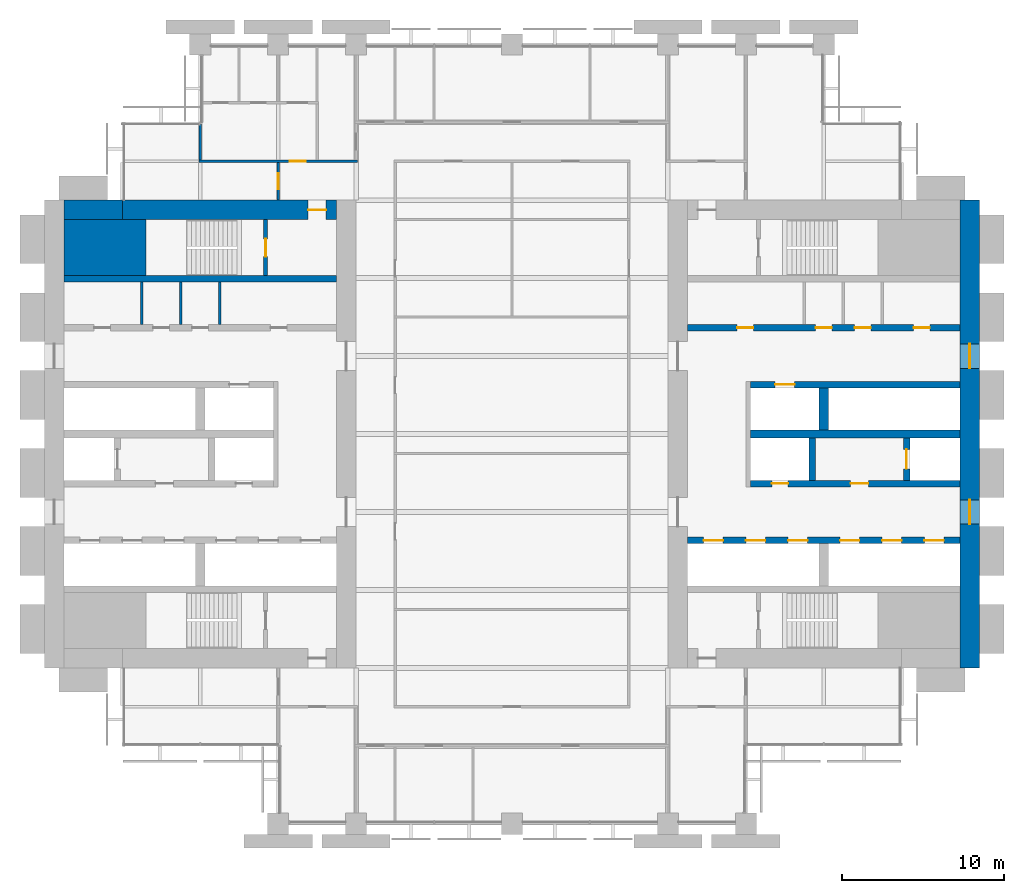
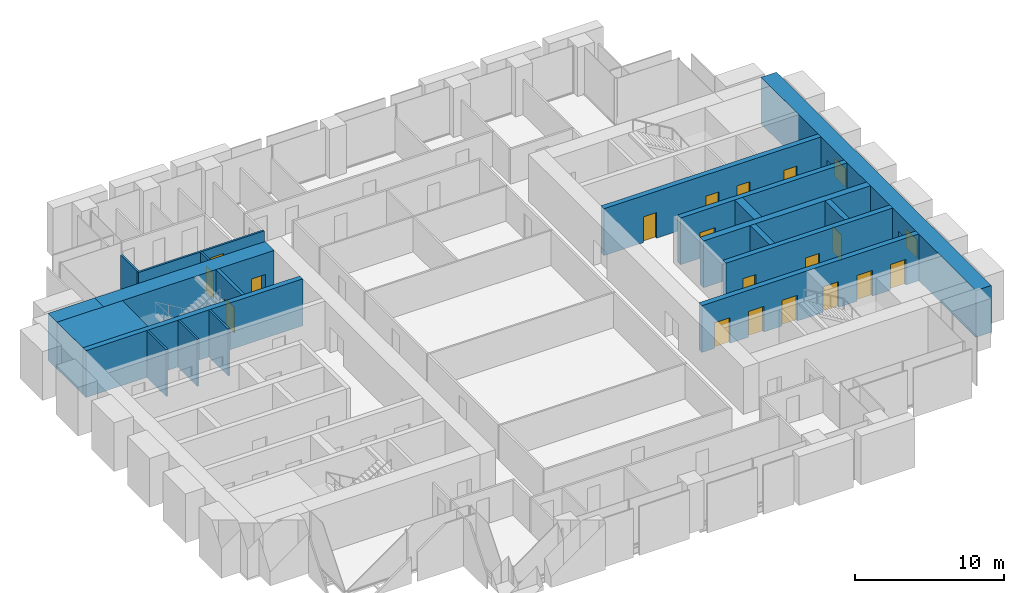
# One storey, part 11 of 14: 20 walls, 18 doors, 2 windows, 20 openings.
"""IFC4 building model written with IfcOpenShell, lengths in metres."""

from ifc_helpers import new_model, si_unit, direction, frame, frame_2d, origin, place, context, subcontext, project, spatial, rectangle, extrude, material, layer, layer_set, type_object, element, fill, save


model = new_model("IFC4")

# Units and contexts
model_context = context("Model", 3, precision=1e-05, world=origin(), true_north=direction((0.0, 1.0)))
body_context = subcontext(model_context, "Body", "Model", "MODEL_VIEW")
ifc_project = project(units=[si_unit("LENGTHUNIT", "METRE"), si_unit("AREAUNIT", "SQUARE_METRE"), si_unit("VOLUMEUNIT", "CUBIC_METRE"), si_unit("PLANEANGLEUNIT", "RADIAN"), si_unit("MASSUNIT", "GRAM", prefix="KILO")], contexts=[model_context])

# Site, building, storey
site_placement = place(None, origin())
site = spatial("IfcSite", under=ifc_project, at=site_placement, CompositionType="ELEMENT")
building_placement = place(site_placement, origin())
building = spatial("IfcBuilding", under=site, at=building_placement, Name="Baori Bourse Tower", CompositionType="ELEMENT")
storey_placement = place(building_placement, frame((0.0, 0.0, 67.0)))
storey = spatial("IfcBuildingStorey", under=building, at=storey_placement, Name="L14", CompositionType="ELEMENT", Elevation=67.0)

# Walls
ifc_material_1 = material(Name="Concrete f'c 70 MPa", Category="concrete")
wall_type_1 = type_object("IfcWallType", Name="Core corner block f'c 70", PredefinedType="SHEAR", material=ifc_material_1)
wall_1_placement = place(storey_placement, frame((1.199951171875, 35.47509765625, 0.0), z_axis=(0.0, 0.0, 1.0), x_axis=(1.0, 0.0, 0.0)))
element("IfcWall", 1, at=wall_1_placement, inside=storey, type_object=wall_type_1, Name="Core wall W22", PredefinedType="SHEAR", context=body_context, shape_type="SweptSolid", body=[
    extrude(rectangle(XDim=5.050048828125, YDim=3.449951171875, at=frame_2d((2.52490234375, 0.0))), origin(), (0.0, 0.0, 1.0), 3.840087890625),
])
ifc_material_2 = material(Name="Blockwork partition", Category="masonry")
ifc_layer_1 = layer(ifc_material_2, 0.14990234375)
ifc_layer_set_1 = layer_set([ifc_layer_1], Name="Core partition 150")
wall_type_2 = type_object("IfcWallType", Name="Core partition 150", PredefinedType="PARTITIONING", material=ifc_layer_set_1)
for number, where, z_axis, x_axis, name in (
    (2, (6.0, 30.75, 0.0), (0.0, 0.0, 1.0), (0.0, 1.0, 0.0), "Partition wall W18"),
    (3, (8.39990234375, 30.75, 0.0), (0.0, 0.0, 1.0), (0.0, 1.0, 0.0), "Partition wall W19"),
    (4, (10.800048828125, 30.75, 0.0), (0.0, 0.0, 1.0), (0.0, 1.0, 0.0), "Partition wall W20"),
):
    element("IfcWall", number, at=place(storey_placement, frame(where, z_axis=z_axis, x_axis=x_axis)), inside=storey, type_object=wall_type_2, Name=name, PredefinedType="PARTITIONING", context=body_context, shape_type="SweptSolid", body=[
        extrude(rectangle(XDim=2.60009765625, YDim=0.14990234375, at=frame_2d((1.300048828125, 0.0))), origin(), (0.0, 0.0, 1.0), 3.840087890625),
    ])
ifc_material_3 = material(Name="Concrete f'c 70 MPa", Category="concrete")
ifc_layer_2 = layer(ifc_material_3, 1.199951171875)
ifc_layer_set_2 = layer_set([ifc_layer_2], Name="Core wall 1200 f'c 70")
wall_type_3 = type_object("IfcWallType", Name="Core wall 1200 f'c 70", PredefinedType="SHEAR", material=ifc_layer_set_2)
wall_2_placement = place(storey_placement, frame((1.199951171875, 37.800048828125, 0.0), z_axis=(0.0, 0.0, 1.0), x_axis=(1.0, 0.0, 0.0)))
element("IfcWall", 5, at=wall_2_placement, inside=storey, type_object=wall_type_3, Name="Core wall W24", PredefinedType="SHEAR", context=body_context, shape_type="SweptSolid", body=[
    extrude(rectangle(XDim=3.60009765625, YDim=1.199951171875, at=frame_2d((1.800048828125, 0.0))), origin(), (0.0, 0.0, 1.0), 3.840087890625),
])

# Wall, opening, door
wall_3_placement = place(storey_placement, frame((4.800048828125, 37.800048828125, 0.0), z_axis=(0.0, 0.0, 1.0), x_axis=(1.0, 0.0, 0.0)))
wall_3 = element("IfcWall", 6, at=wall_3_placement, inside=storey, type_object=wall_type_3, Name="Core wall W25", PredefinedType="SHEAR", context=body_context, shape_type="SweptSolid", body=[
    extrude(rectangle(XDim=13.199951171875, YDim=1.199951171875, at=frame_2d((6.60009765625, 0.0))), origin(), (0.0, 0.0, 1.0), 3.840087890625),
])
opening_1_placement = place(wall_3_placement, frame((11.449951171875, 0.0, 0.0)))
opening_1 = element("IfcOpeningElement", 7, at=opening_1_placement, cuts=wall_3, Name="Opening L14-D104", PredefinedType="OPENING", context=body_context, shape_type="SweptSolid", body=[
    extrude(rectangle(XDim=1.10009765625, YDim=2.10009765625, at=frame_2d((0.550048828125, 1.050048828125))), frame((0.0, 0.60986328125, 0.0), z_axis=(0.0, -1.0, 0.0), x_axis=(1.0, 0.0, 0.0)), (0.0, 0.0, 1.0), 1.219970703125),
])
ifc_material_4 = material(Name="Painted steel door", Category="steel")
door_type_1 = type_object("IfcDoorType", Name="Stair door 1100", OperationType="SINGLE_SWING_LEFT", PredefinedType="DOOR", material=ifc_material_4)
door_1_placement = place(opening_1_placement, origin())
door_1 = element("IfcDoor", 8, at=door_1_placement, inside=storey, type_object=door_type_1, Name="Stair vestibule door B W L14", OperationType="SINGLE_SWING_LEFT", OverallHeight=2.10009765625, OverallWidth=1.10009765625, PredefinedType="DOOR", context=body_context, shape_type="SweptSolid", body=[
    extrude(rectangle(XDim=1.10009765625, YDim=2.10009765625, at=frame_2d((0.550048828125, 1.050048828125))), frame((0.0, 0.02490234375, 0.0), z_axis=(0.0, -1.0, 0.0), x_axis=(1.0, 0.0, 0.0)), (0.0, 0.0, 1.0), 0.050048828125),
])
fill(opening_1, door_1)

# Wall, openings, windows
wall_4_placement = place(storey_placement, frame((57.0, 38.39990234375, 0.0), z_axis=(0.0, 0.0, 1.0), x_axis=(0.0, -1.0, 0.0)))
wall_4 = element("IfcWall", 9, at=wall_4_placement, inside=storey, type_object=wall_type_3, Name="Core wall E01", PredefinedType="SHEAR", context=body_context, shape_type="SweptSolid", body=[
    extrude(rectangle(XDim=28.7998046875, YDim=1.199951171875, at=frame_2d((14.39990234375, 0.0))), origin(), (0.0, 0.0, 1.0), 3.840087890625),
])
opening_2_placement = place(wall_4_placement, frame((18.449951171875, 0.0, 0.89990234375)))
opening_2 = element("IfcOpeningElement", 10, at=opening_2_placement, cuts=wall_4, Name="Opening L14-KW201", PredefinedType="OPENING", context=body_context, shape_type="SweptSolid", body=[
    extrude(rectangle(XDim=1.5, YDim=1.5, at=frame_2d((0.75, 0.75))), frame((0.0, 0.60986328125, 0.0), z_axis=(0.0, -1.0, 0.0), x_axis=(1.0, 0.0, 0.0)), (0.0, 0.0, 1.0), 1.219970703125),
])
opening_3_placement = place(wall_4_placement, frame((8.85009765625, 0.0, 0.89990234375)))
opening_3 = element("IfcOpeningElement", 11, at=opening_3_placement, cuts=wall_4, Name="Opening L14-KW202", PredefinedType="OPENING", context=body_context, shape_type="SweptSolid", body=[
    extrude(rectangle(XDim=1.5, YDim=1.5, at=frame_2d((0.75, 0.75))), frame((0.0, 0.60986328125, 0.0), z_axis=(0.0, -1.0, 0.0), x_axis=(1.0, 0.0, 0.0)), (0.0, 0.0, 1.0), 1.219970703125),
])
ifc_material_5 = material(Name="Pale anodised aluminium", Category="aluminium")
window_type = type_object("IfcWindowType", Name="Lobby window 1500 x 1500", PartitioningType="SINGLE_PANEL", PredefinedType="WINDOW", material=ifc_material_5)
window_1_placement = place(opening_2_placement, origin())
window_1 = element("IfcWindow", 12, at=window_1_placement, inside=storey, type_object=window_type, Name="Outer wall window E L14 1", OverallHeight=1.5, OverallWidth=1.5, PartitioningType="SINGLE_PANEL", PredefinedType="WINDOW", context=body_context, shape_type="SweptSolid", body=[
    extrude(rectangle(XDim=1.5, YDim=1.5, at=frame_2d((0.75, 0.75))), frame((0.0, 0.030029296875, 0.0), z_axis=(0.0, -1.0, 0.0), x_axis=(1.0, 0.0, 0.0)), (0.0, 0.0, 1.0), 0.06005859375),
])
fill(opening_2, window_1)
window_2_placement = place(opening_3_placement, origin())
window_2 = element("IfcWindow", 13, at=window_2_placement, inside=storey, type_object=window_type, Name="Outer wall window E L14 2", OverallHeight=1.5, OverallWidth=1.5, PartitioningType="SINGLE_PANEL", PredefinedType="WINDOW", context=body_context, shape_type="SweptSolid", body=[
    extrude(rectangle(XDim=1.5, YDim=1.5, at=frame_2d((0.75, 0.75))), frame((0.0, 0.030029296875, 0.0), z_axis=(0.0, -1.0, 0.0), x_axis=(1.0, 0.0, 0.0)), (0.0, 0.0, 1.0), 0.06005859375),
])
fill(opening_3, window_2)

# Wall, opening, door
ifc_material_6 = material(Name="Gypsum board partition")
ifc_layer_3 = layer(ifc_material_6, 0.14990234375)
ifc_layer_set_3 = layer_set([ifc_layer_3], Name="Corridor partition 150")
wall_type_4 = type_object("IfcWallType", Name="Corridor partition 150", PredefinedType="PARTITIONING", material=ifc_layer_set_3)
wall_5_placement = place(storey_placement, frame((9.52490234375, 40.800048828125, 0.0), z_axis=(0.0, 0.0, 1.0), x_axis=(1.0, 0.0, 0.0)))
wall_5 = element("IfcWall", 14, at=wall_5_placement, inside=storey, type_object=wall_type_4, Name="Partition", PredefinedType="PARTITIONING", context=body_context, shape_type="SweptSolid", body=[
    extrude(rectangle(XDim=9.75, YDim=0.14990234375, at=frame_2d((4.875, 0.0))), origin(), (0.0, 0.0, 1.0), 2.849365234375),
])
opening_4_placement = place(wall_5_placement, frame((5.574951171875, 0.0, 0.0)))
opening_4 = element("IfcOpeningElement", 15, at=opening_4_placement, cuts=wall_5, Name="Opening L14-D07", PredefinedType="OPENING", context=body_context, shape_type="SweptSolid", body=[
    extrude(rectangle(XDim=1.0, YDim=2.10009765625, at=frame_2d((0.5, 1.050048828125))), frame((0.0, 0.0849609375, 0.0), z_axis=(0.0, -1.0, 0.0), x_axis=(1.0, 0.0, 0.0)), (0.0, 0.0, 1.0), 0.169921875),
])
ifc_material_7 = material(Name="Timber door leaf", Category="wood")
door_type_2 = type_object("IfcDoorType", Name="Door 1000 x 2100", OperationType="SINGLE_SWING_LEFT", PredefinedType="DOOR", material=ifc_material_7)
door_2_placement = place(opening_4_placement, origin())
door_2 = element("IfcDoor", 16, at=door_2_placement, inside=storey, type_object=door_type_2, Name="Door", OperationType="SINGLE_SWING_RIGHT", OverallHeight=2.10009765625, OverallWidth=1.0, PredefinedType="DOOR", context=body_context, shape_type="SweptSolid", body=[
    extrude(rectangle(XDim=1.0, YDim=2.10009765625, at=frame_2d((0.5, 1.050048828125))), frame((0.0, 0.02490234375, 0.0), z_axis=(0.0, -1.0, 0.0), x_axis=(1.0, 0.0, 0.0)), (0.0, 0.0, 1.0), 0.050048828125),
])
fill(opening_4, door_2)

# Wall
wall_6_placement = place(storey_placement, frame((9.60009765625, 40.875, 0.0), z_axis=(0.0, 0.0, 1.0), x_axis=(0.0, 1.0, 0.0)))
element("IfcWall", 17, at=wall_6_placement, inside=storey, type_object=wall_type_4, Name="Partition", PredefinedType="PARTITIONING", context=body_context, shape_type="SweptSolid", body=[
    extrude(rectangle(XDim=2.22509765625, YDim=0.14990234375, at=frame_2d((1.112548828125, 0.0))), origin(), (0.0, 0.0, 1.0), 2.849365234375),
])

# Wall, opening, door
wall_7_placement = place(storey_placement, frame((14.39990234375, 38.39990234375, 0.0), z_axis=(0.0, 0.0, 1.0), x_axis=(0.0, 1.0, 0.0)))
wall_7 = element("IfcWall", 18, at=wall_7_placement, inside=storey, type_object=wall_type_4, Name="Partition", PredefinedType="PARTITIONING", context=body_context, shape_type="SweptSolid", body=[
    extrude(rectangle(XDim=2.3251953125, YDim=0.14990234375, at=frame_2d((1.16259765625, 0.0))), origin(), (0.0, 0.0, 1.0), 2.849365234375),
])
opening_5_placement = place(wall_7_placement, frame((0.66259765625, 0.0, 0.0)))
opening_5 = element("IfcOpeningElement", 19, at=opening_5_placement, cuts=wall_7, Name="Opening L14-D19", PredefinedType="OPENING", context=body_context, shape_type="SweptSolid", body=[
    extrude(rectangle(XDim=1.0, YDim=2.10009765625, at=frame_2d((0.5, 1.050048828125))), frame((0.0, 0.0849609375, 0.0), z_axis=(0.0, -1.0, 0.0), x_axis=(1.0, 0.0, 0.0)), (0.0, 0.0, 1.0), 0.169921875),
])
door_3_placement = place(opening_5_placement, origin())
door_3 = element("IfcDoor", 20, at=door_3_placement, inside=storey, type_object=door_type_2, Name="Door", OperationType="SINGLE_SWING_RIGHT", OverallHeight=2.10009765625, OverallWidth=1.0, PredefinedType="DOOR", context=body_context, shape_type="SweptSolid", body=[
    extrude(rectangle(XDim=1.0, YDim=2.10009765625, at=frame_2d((0.5, 1.050048828125))), frame((0.0, 0.02490234375, 0.0), z_axis=(0.0, -1.0, 0.0), x_axis=(1.0, 0.0, 0.0)), (0.0, 0.0, 1.0), 0.050048828125),
])
fill(opening_5, door_3)

ifc_material_8 = material(Name="Concrete f'c 70 MPa", Category="concrete")
ifc_layer_4 = layer(ifc_material_8, 0.25)
ifc_layer_set_4 = layer_set([ifc_layer_4], Name="Shaft wall 250 f'c 70")
wall_type_5 = type_object("IfcWallType", Name="Shaft wall 250 f'c 70", PredefinedType="SHEAR", material=ifc_layer_set_4)
wall_8_placement = place(storey_placement, frame((13.625, 33.75, 0.0), z_axis=(0.0, 0.0, 1.0), x_axis=(0.0, 1.0, 0.0)))
wall_8 = element("IfcWall", 21, at=wall_8_placement, inside=storey, type_object=wall_type_5, Name="Core wall W23", PredefinedType="SHEAR", context=body_context, shape_type="SweptSolid", body=[
    extrude(rectangle(XDim=3.449951171875, YDim=0.25, at=frame_2d((1.72509765625, 0.0))), origin(), (0.0, 0.0, 1.0), 3.840087890625),
])
opening_6_placement = place(wall_8_placement, frame((1.175048828125, 0.0, 0.0)))
opening_6 = element("IfcOpeningElement", 22, at=opening_6_placement, cuts=wall_8, Name="Opening L14-D103", PredefinedType="OPENING", context=body_context, shape_type="SweptSolid", body=[
    extrude(rectangle(XDim=1.10009765625, YDim=2.10009765625, at=frame_2d((0.550048828125, 1.050048828125))), frame((0.0, 0.135009765625, 0.0), z_axis=(0.0, -1.0, 0.0), x_axis=(1.0, 0.0, 0.0)), (0.0, 0.0, 1.0), 0.27001953125),
])
door_4_placement = place(opening_6_placement, origin())
door_4 = element("IfcDoor", 23, at=door_4_placement, inside=storey, type_object=door_type_1, Name="Stair door B W L14", OperationType="SINGLE_SWING_LEFT", OverallHeight=2.10009765625, OverallWidth=1.10009765625, PredefinedType="DOOR", context=body_context, shape_type="SweptSolid", body=[
    extrude(rectangle(XDim=1.10009765625, YDim=2.10009765625, at=frame_2d((0.550048828125, 1.050048828125))), frame((0.0, 0.02490234375, 0.0), z_axis=(0.0, -1.0, 0.0), x_axis=(1.0, 0.0, 0.0)), (0.0, 0.0, 1.0), 0.050048828125),
])
fill(opening_6, door_4)

# Wall
ifc_material_9 = material(Name="Concrete f'c 70 MPa", Category="concrete")
ifc_layer_5 = layer(ifc_material_9, 0.39990234375)
ifc_layer_set_5 = layer_set([ifc_layer_5], Name="Shaft wall 400 f'c 70")
wall_type_6 = type_object("IfcWallType", Name="Shaft wall 400 f'c 70", PredefinedType="SHEAR", material=ifc_layer_set_5)
wall_9_placement = place(storey_placement, frame((1.199951171875, 33.550048828125, 0.0), z_axis=(0.0, 0.0, 1.0), x_axis=(1.0, 0.0, 0.0)))
element("IfcWall", 24, at=wall_9_placement, inside=storey, type_object=wall_type_6, Name="Core wall W21", PredefinedType="SHEAR", context=body_context, shape_type="SweptSolid", body=[
    extrude(rectangle(XDim=16.800048828125, YDim=0.39990234375, at=frame_2d((8.39990234375, 0.0))), origin(), (0.0, 0.0, 1.0), 3.840087890625),
])

# Wall, openings, doors
wall_10_placement = place(storey_placement, frame((39.60009765625, 17.449951171875, 0.0), z_axis=(0.0, 0.0, 1.0), x_axis=(1.0, 0.0, 0.0)))
wall_10 = element("IfcWall", 25, at=wall_10_placement, inside=storey, type_object=wall_type_6, Name="Core wall E09", PredefinedType="SHEAR", context=body_context, shape_type="SweptSolid", body=[
    extrude(rectangle(XDim=16.7998046875, YDim=0.39990234375, at=frame_2d((8.39990234375, 0.0))), origin(), (0.0, 0.0, 1.0), 3.840087890625),
])
opening_7_placement = place(wall_10_placement, frame((14.60009765625, 0.0, 0.0)))
opening_7 = element("IfcOpeningElement", 26, at=opening_7_placement, cuts=wall_10, Name="Opening L14-D213", PredefinedType="OPENING", context=body_context, shape_type="SweptSolid", body=[
    extrude(rectangle(XDim=1.199951171875, YDim=2.10009765625, at=frame_2d((0.60009765625, 1.050048828125))), frame((0.0, 0.2099609375, 0.0), z_axis=(0.0, -1.0, 0.0), x_axis=(1.0, 0.0, 0.0)), (0.0, 0.0, 1.0), 0.419921875),
])
opening_8_placement = place(wall_10_placement, frame((12.0, 0.0, 0.0)))
opening_8 = element("IfcOpeningElement", 27, at=opening_8_placement, cuts=wall_10, Name="Opening L14-D214", PredefinedType="OPENING", context=body_context, shape_type="SweptSolid", body=[
    extrude(rectangle(XDim=1.199951171875, YDim=2.10009765625, at=frame_2d((0.60009765625, 1.050048828125))), frame((0.0, 0.2099609375, 0.0), z_axis=(0.0, -1.0, 0.0), x_axis=(1.0, 0.0, 0.0)), (0.0, 0.0, 1.0), 0.419921875),
])
opening_9_placement = place(wall_10_placement, frame((9.39990234375, 0.0, 0.0)))
opening_9 = element("IfcOpeningElement", 28, at=opening_9_placement, cuts=wall_10, Name="Opening L14-D215", PredefinedType="OPENING", context=body_context, shape_type="SweptSolid", body=[
    extrude(rectangle(XDim=1.199951171875, YDim=2.10009765625, at=frame_2d((0.60009765625, 1.050048828125))), frame((0.0, 0.2099609375, 0.0), z_axis=(0.0, -1.0, 0.0), x_axis=(1.0, 0.0, 0.0)), (0.0, 0.0, 1.0), 0.419921875),
])
opening_10_placement = place(wall_10_placement, frame((6.199951171875, 0.0, 0.0)))
opening_10 = element("IfcOpeningElement", 29, at=opening_10_placement, cuts=wall_10, Name="Opening L14-D216", PredefinedType="OPENING", context=body_context, shape_type="SweptSolid", body=[
    extrude(rectangle(XDim=1.199951171875, YDim=2.10009765625, at=frame_2d((0.60009765625, 1.050048828125))), frame((0.0, 0.2099609375, 0.0), z_axis=(0.0, -1.0, 0.0), x_axis=(1.0, 0.0, 0.0)), (0.0, 0.0, 1.0), 0.419921875),
])
opening_11_placement = place(wall_10_placement, frame((3.60009765625, 0.0, 0.0)))
opening_11 = element("IfcOpeningElement", 30, at=opening_11_placement, cuts=wall_10, Name="Opening L14-D217", PredefinedType="OPENING", context=body_context, shape_type="SweptSolid", body=[
    extrude(rectangle(XDim=1.199951171875, YDim=2.10009765625, at=frame_2d((0.60009765625, 1.050048828125))), frame((0.0, 0.2099609375, 0.0), z_axis=(0.0, -1.0, 0.0), x_axis=(1.0, 0.0, 0.0)), (0.0, 0.0, 1.0), 0.419921875),
])
opening_12_placement = place(wall_10_placement, frame((1.0, 0.0, 0.0)))
opening_12 = element("IfcOpeningElement", 31, at=opening_12_placement, cuts=wall_10, Name="Opening L14-D218", PredefinedType="OPENING", context=body_context, shape_type="SweptSolid", body=[
    extrude(rectangle(XDim=1.199951171875, YDim=2.10009765625, at=frame_2d((0.60009765625, 1.050048828125))), frame((0.0, 0.2099609375, 0.0), z_axis=(0.0, -1.0, 0.0), x_axis=(1.0, 0.0, 0.0)), (0.0, 0.0, 1.0), 0.419921875),
])
ifc_material_10 = material(Name="Stainless steel door", Category="steel")
door_type_3 = type_object("IfcDoorType", Name="Lift landing door", OperationType="DOUBLE_DOOR_SLIDING", PredefinedType="DOOR", material=ifc_material_10)
door_5_placement = place(opening_7_placement, origin())
door_5 = element("IfcDoor", 32, at=door_5_placement, inside=storey, type_object=door_type_3, Name="Lift landing door LR1 E L14", OperationType="DOUBLE_DOOR_SLIDING", OverallHeight=2.10009765625, OverallWidth=1.199951171875, PredefinedType="DOOR", context=body_context, shape_type="SweptSolid", body=[
    extrude(rectangle(XDim=1.199951171875, YDim=2.10009765625, at=frame_2d((0.60009765625, 1.050048828125))), frame((0.0, 0.02490234375, 0.0), z_axis=(0.0, -1.0, 0.0), x_axis=(1.0, 0.0, 0.0)), (0.0, 0.0, 1.0), 0.050048828125),
])
fill(opening_7, door_5)
door_6_placement = place(opening_8_placement, origin())
door_6 = element("IfcDoor", 33, at=door_6_placement, inside=storey, type_object=door_type_3, Name="Lift landing door LR2 E L14", OperationType="DOUBLE_DOOR_SLIDING", OverallHeight=2.10009765625, OverallWidth=1.199951171875, PredefinedType="DOOR", context=body_context, shape_type="SweptSolid", body=[
    extrude(rectangle(XDim=1.199951171875, YDim=2.10009765625, at=frame_2d((0.60009765625, 1.050048828125))), frame((0.0, 0.02490234375, 0.0), z_axis=(0.0, -1.0, 0.0), x_axis=(1.0, 0.0, 0.0)), (0.0, 0.0, 1.0), 0.050048828125),
])
fill(opening_8, door_6)
door_7_placement = place(opening_9_placement, origin())
door_7 = element("IfcDoor", 34, at=door_7_placement, inside=storey, type_object=door_type_3, Name="Lift landing door LR3 E L14", OperationType="DOUBLE_DOOR_SLIDING", OverallHeight=2.10009765625, OverallWidth=1.199951171875, PredefinedType="DOOR", context=body_context, shape_type="SweptSolid", body=[
    extrude(rectangle(XDim=1.199951171875, YDim=2.10009765625, at=frame_2d((0.60009765625, 1.050048828125))), frame((0.0, 0.02490234375, 0.0), z_axis=(0.0, -1.0, 0.0), x_axis=(1.0, 0.0, 0.0)), (0.0, 0.0, 1.0), 0.050048828125),
])
fill(opening_9, door_7)
door_8_placement = place(opening_10_placement, origin())
door_8 = element("IfcDoor", 35, at=door_8_placement, inside=storey, type_object=door_type_3, Name="Lift landing door LR4 E L14", OperationType="DOUBLE_DOOR_SLIDING", OverallHeight=2.10009765625, OverallWidth=1.199951171875, PredefinedType="DOOR", context=body_context, shape_type="SweptSolid", body=[
    extrude(rectangle(XDim=1.199951171875, YDim=2.10009765625, at=frame_2d((0.60009765625, 1.050048828125))), frame((0.0, 0.02490234375, 0.0), z_axis=(0.0, -1.0, 0.0), x_axis=(1.0, 0.0, 0.0)), (0.0, 0.0, 1.0), 0.050048828125),
])
fill(opening_10, door_8)
door_9_placement = place(opening_11_placement, origin())
door_9 = element("IfcDoor", 36, at=door_9_placement, inside=storey, type_object=door_type_3, Name="Lift landing door LR5 E L14", OperationType="DOUBLE_DOOR_SLIDING", OverallHeight=2.10009765625, OverallWidth=1.199951171875, PredefinedType="DOOR", context=body_context, shape_type="SweptSolid", body=[
    extrude(rectangle(XDim=1.199951171875, YDim=2.10009765625, at=frame_2d((0.60009765625, 1.050048828125))), frame((0.0, 0.02490234375, 0.0), z_axis=(0.0, -1.0, 0.0), x_axis=(1.0, 0.0, 0.0)), (0.0, 0.0, 1.0), 0.050048828125),
])
fill(opening_11, door_9)
door_10_placement = place(opening_12_placement, origin())
door_10 = element("IfcDoor", 37, at=door_10_placement, inside=storey, type_object=door_type_3, Name="Lift landing door LR6 E L14", OperationType="DOUBLE_DOOR_SLIDING", OverallHeight=2.10009765625, OverallWidth=1.199951171875, PredefinedType="DOOR", context=body_context, shape_type="SweptSolid", body=[
    extrude(rectangle(XDim=1.199951171875, YDim=2.10009765625, at=frame_2d((0.60009765625, 1.050048828125))), frame((0.0, 0.02490234375, 0.0), z_axis=(0.0, -1.0, 0.0), x_axis=(1.0, 0.0, 0.0)), (0.0, 0.0, 1.0), 0.050048828125),
])
fill(opening_12, door_10)

wall_11_placement = place(storey_placement, frame((43.5, 20.949951171875, 0.0), z_axis=(0.0, 0.0, 1.0), x_axis=(1.0, 0.0, 0.0)))
wall_11 = element("IfcWall", 38, at=wall_11_placement, inside=storey, type_object=wall_type_6, Name="Core wall E10", PredefinedType="SHEAR", context=body_context, shape_type="SweptSolid", body=[
    extrude(rectangle(XDim=12.89990234375, YDim=0.39990234375, at=frame_2d((6.449951171875, 0.0))), origin(), (0.0, 0.0, 1.0), 3.840087890625),
])
opening_13_placement = place(wall_11_placement, frame((6.14990234375, 0.0, 0.0)))
opening_13 = element("IfcOpeningElement", 39, at=opening_13_placement, cuts=wall_11, Name="Opening L14-D205", PredefinedType="OPENING", context=body_context, shape_type="SweptSolid", body=[
    extrude(rectangle(XDim=1.10009765625, YDim=2.10009765625, at=frame_2d((0.550048828125, 1.050048828125))), frame((0.0, 0.2099609375, 0.0), z_axis=(0.0, -1.0, 0.0), x_axis=(1.0, 0.0, 0.0)), (0.0, 0.0, 1.0), 0.419921875),
])
opening_14_placement = place(wall_11_placement, frame((1.300048828125, 0.0, 0.0)))
opening_14 = element("IfcOpeningElement", 40, at=opening_14_placement, cuts=wall_11, Name="Opening L14-D206", PredefinedType="OPENING", context=body_context, shape_type="SweptSolid", body=[
    extrude(rectangle(XDim=1.0, YDim=2.10009765625, at=frame_2d((0.5, 1.050048828125))), frame((0.0, 0.2099609375, 0.0), z_axis=(0.0, -1.0, 0.0), x_axis=(1.0, 0.0, 0.0)), (0.0, 0.0, 1.0), 0.419921875),
])
ifc_material_11 = material(Name="Painted steel door", Category="steel")
door_type_4 = type_object("IfcDoorType", Name="Lobby door 1100", OperationType="SINGLE_SWING_LEFT", PredefinedType="DOOR", material=ifc_material_11)
door_11_placement = place(opening_13_placement, origin())
door_11 = element("IfcDoor", 41, at=door_11_placement, inside=storey, type_object=door_type_4, Name="Firefighting lobby door E L14", OperationType="SINGLE_SWING_LEFT", OverallHeight=2.10009765625, OverallWidth=1.10009765625, PredefinedType="DOOR", context=body_context, shape_type="SweptSolid", body=[
    extrude(rectangle(XDim=1.10009765625, YDim=2.10009765625, at=frame_2d((0.550048828125, 1.050048828125))), frame((0.0, 0.02490234375, 0.0), z_axis=(0.0, -1.0, 0.0), x_axis=(1.0, 0.0, 0.0)), (0.0, 0.0, 1.0), 0.050048828125),
])
fill(opening_13, door_11)
ifc_material_12 = material(Name="Painted steel door", Category="steel")
door_type_5 = type_object("IfcDoorType", Name="Shaft door 1000", OperationType="SINGLE_SWING_LEFT", PredefinedType="DOOR", material=ifc_material_12)
door_12_placement = place(opening_14_placement, origin())
door_12 = element("IfcDoor", 42, at=door_12_placement, inside=storey, type_object=door_type_5, Name="Riser room door E L14", OperationType="SINGLE_SWING_LEFT", OverallHeight=2.10009765625, OverallWidth=1.0, PredefinedType="DOOR", context=body_context, shape_type="SweptSolid", body=[
    extrude(rectangle(XDim=1.0, YDim=2.10009765625, at=frame_2d((0.5, 1.050048828125))), frame((0.0, 0.02490234375, 0.0), z_axis=(0.0, -1.0, 0.0), x_axis=(1.0, 0.0, 0.0)), (0.0, 0.0, 1.0), 0.050048828125),
])
fill(opening_14, door_12)

# Wall, opening, door
wall_12_placement = place(storey_placement, frame((53.10009765625, 21.14990234375, 0.0), z_axis=(0.0, 0.0, 1.0), x_axis=(0.0, 1.0, 0.0)))
wall_12 = element("IfcWall", 43, at=wall_12_placement, inside=storey, type_object=wall_type_6, Name="Core wall E12", PredefinedType="SHEAR", context=body_context, shape_type="SweptSolid", body=[
    extrude(rectangle(XDim=2.60009765625, YDim=0.39990234375, at=frame_2d((1.300048828125, 0.0))), origin(), (0.0, 0.0, 1.0), 3.840087890625),
])
opening_15_placement = place(wall_12_placement, frame((0.699951171875, 0.0, 0.0)))
opening_15 = element("IfcOpeningElement", 44, at=opening_15_placement, cuts=wall_12, Name="Opening L14-D220", PredefinedType="OPENING", context=body_context, shape_type="SweptSolid", body=[
    extrude(rectangle(XDim=1.199951171875, YDim=2.10009765625, at=frame_2d((0.60009765625, 1.050048828125))), frame((0.0, 0.2099609375, 0.0), z_axis=(0.0, -1.0, 0.0), x_axis=(1.0, 0.0, 0.0)), (0.0, 0.0, 1.0), 0.419921875),
])
door_13_placement = place(opening_15_placement, origin())
door_13 = element("IfcDoor", 45, at=door_13_placement, inside=storey, type_object=door_type_3, Name="Lift landing door FF2 E L14", OperationType="DOUBLE_DOOR_SLIDING", OverallHeight=2.10009765625, OverallWidth=1.199951171875, PredefinedType="DOOR", context=body_context, shape_type="SweptSolid", body=[
    extrude(rectangle(XDim=1.199951171875, YDim=2.10009765625, at=frame_2d((0.60009765625, 1.050048828125))), frame((0.0, 0.02490234375, 0.0), z_axis=(0.0, -1.0, 0.0), x_axis=(1.0, 0.0, 0.0)), (0.0, 0.0, 1.0), 0.050048828125),
])
fill(opening_15, door_13)

# Wall
wall_13_placement = place(storey_placement, frame((47.300048828125, 21.14990234375, 0.0), z_axis=(0.0, 0.0, 1.0), x_axis=(0.0, 1.0, 0.0)))
element("IfcWall", 46, at=wall_13_placement, inside=storey, type_object=wall_type_6, Name="Core wall E13", PredefinedType="SHEAR", context=body_context, shape_type="SweptSolid", body=[
    extrude(rectangle(XDim=2.60009765625, YDim=0.39990234375, at=frame_2d((1.300048828125, 0.0))), origin(), (0.0, 0.0, 1.0), 3.840087890625),
])

# Wall, opening, door
wall_14_placement = place(storey_placement, frame((43.5, 27.050048828125, 0.0), z_axis=(0.0, 0.0, 1.0), x_axis=(1.0, 0.0, 0.0)))
wall_14 = element("IfcWall", 47, at=wall_14_placement, inside=storey, type_object=wall_type_6, Name="Core wall E16", PredefinedType="SHEAR", context=body_context, shape_type="SweptSolid", body=[
    extrude(rectangle(XDim=12.89990234375, YDim=0.39990234375, at=frame_2d((6.449951171875, 0.0))), origin(), (0.0, 0.0, 1.0), 3.840087890625),
])
opening_16_placement = place(wall_14_placement, frame((1.5, 0.0, 0.0)))
opening_16 = element("IfcOpeningElement", 48, at=opening_16_placement, cuts=wall_14, Name="Opening L14-D219", PredefinedType="OPENING", context=body_context, shape_type="SweptSolid", body=[
    extrude(rectangle(XDim=1.199951171875, YDim=2.10009765625, at=frame_2d((0.60009765625, 1.050048828125))), frame((0.0, 0.2099609375, 0.0), z_axis=(0.0, -1.0, 0.0), x_axis=(1.0, 0.0, 0.0)), (0.0, 0.0, 1.0), 0.419921875),
])
door_14_placement = place(opening_16_placement, origin())
door_14 = element("IfcDoor", 49, at=door_14_placement, inside=storey, type_object=door_type_3, Name="Lift landing door SV1 E L14", OperationType="DOUBLE_DOOR_SLIDING", OverallHeight=2.10009765625, OverallWidth=1.199951171875, PredefinedType="DOOR", context=body_context, shape_type="SweptSolid", body=[
    extrude(rectangle(XDim=1.199951171875, YDim=2.10009765625, at=frame_2d((0.60009765625, 1.050048828125))), frame((0.0, 0.02490234375, 0.0), z_axis=(0.0, -1.0, 0.0), x_axis=(1.0, 0.0, 0.0)), (0.0, 0.0, 1.0), 0.050048828125),
])
fill(opening_16, door_14)

# Wall, openings, doors
wall_15_placement = place(storey_placement, frame((39.60009765625, 30.550048828125, 0.0), z_axis=(0.0, 0.0, 1.0), x_axis=(1.0, 0.0, 0.0)))
wall_15 = element("IfcWall", 50, at=wall_15_placement, inside=storey, type_object=wall_type_6, Name="Core wall E17", PredefinedType="SHEAR", context=body_context, shape_type="SweptSolid", body=[
    extrude(rectangle(XDim=16.7998046875, YDim=0.39990234375, at=frame_2d((8.39990234375, 0.0))), origin(), (0.0, 0.0, 1.0), 3.840087890625),
])
opening_17_placement = place(wall_15_placement, frame((13.9375, 0.0, 0.0)))
opening_17 = element("IfcOpeningElement", 51, at=opening_17_placement, cuts=wall_15, Name="Opening L14-D209", PredefinedType="OPENING", context=body_context, shape_type="SweptSolid", body=[
    extrude(rectangle(XDim=1.0, YDim=2.10009765625, at=frame_2d((0.5, 1.050048828125))), frame((0.0, 0.2099609375, 0.0), z_axis=(0.0, -1.0, 0.0), x_axis=(1.0, 0.0, 0.0)), (0.0, 0.0, 1.0), 0.419921875),
])
opening_18_placement = place(wall_15_placement, frame((10.300048828125, 0.0, 0.0)))
opening_18 = element("IfcOpeningElement", 52, at=opening_18_placement, cuts=wall_15, Name="Opening L14-D210", PredefinedType="OPENING", context=body_context, shape_type="SweptSolid", body=[
    extrude(rectangle(XDim=1.0, YDim=2.10009765625, at=frame_2d((0.5, 1.050048828125))), frame((0.0, 0.2099609375, 0.0), z_axis=(0.0, -1.0, 0.0), x_axis=(1.0, 0.0, 0.0)), (0.0, 0.0, 1.0), 0.419921875),
])
opening_19_placement = place(wall_15_placement, frame((7.89990234375, 0.0, 0.0)))
opening_19 = element("IfcOpeningElement", 53, at=opening_19_placement, cuts=wall_15, Name="Opening L14-D211", PredefinedType="OPENING", context=body_context, shape_type="SweptSolid", body=[
    extrude(rectangle(XDim=1.0, YDim=2.10009765625, at=frame_2d((0.5, 1.050048828125))), frame((0.0, 0.2099609375, 0.0), z_axis=(0.0, -1.0, 0.0), x_axis=(1.0, 0.0, 0.0)), (0.0, 0.0, 1.0), 0.419921875),
])
opening_20_placement = place(wall_15_placement, frame((3.0625, 0.0, 0.0)))
opening_20 = element("IfcOpeningElement", 54, at=opening_20_placement, cuts=wall_15, Name="Opening L14-D212", PredefinedType="OPENING", context=body_context, shape_type="SweptSolid", body=[
    extrude(rectangle(XDim=1.0, YDim=2.10009765625, at=frame_2d((0.5, 1.050048828125))), frame((0.0, 0.2099609375, 0.0), z_axis=(0.0, -1.0, 0.0), x_axis=(1.0, 0.0, 0.0)), (0.0, 0.0, 1.0), 0.419921875),
])
ifc_material_13 = material(Name="Painted steel door", Category="steel")
door_type_6 = type_object("IfcDoorType", Name="Core door 1000", OperationType="SINGLE_SWING_LEFT", PredefinedType="DOOR", material=ifc_material_13)
door_15_placement = place(opening_17_placement, origin())
door_15 = element("IfcDoor", 55, at=door_15_placement, inside=storey, type_object=door_type_6, Name="Women'S Wc door E L14", OperationType="SINGLE_SWING_LEFT", OverallHeight=2.10009765625, OverallWidth=1.0, PredefinedType="DOOR", context=body_context, shape_type="SweptSolid", body=[
    extrude(rectangle(XDim=1.0, YDim=2.10009765625, at=frame_2d((0.5, 1.050048828125))), frame((0.0, 0.02490234375, 0.0), z_axis=(0.0, -1.0, 0.0), x_axis=(1.0, 0.0, 0.0)), (0.0, 0.0, 1.0), 0.050048828125),
])
fill(opening_17, door_15)
door_16_placement = place(opening_18_placement, origin())
door_16 = element("IfcDoor", 56, at=door_16_placement, inside=storey, type_object=door_type_6, Name="Accessible Wc door E L14", OperationType="SINGLE_SWING_LEFT", OverallHeight=2.10009765625, OverallWidth=1.0, PredefinedType="DOOR", context=body_context, shape_type="SweptSolid", body=[
    extrude(rectangle(XDim=1.0, YDim=2.10009765625, at=frame_2d((0.5, 1.050048828125))), frame((0.0, 0.02490234375, 0.0), z_axis=(0.0, -1.0, 0.0), x_axis=(1.0, 0.0, 0.0)), (0.0, 0.0, 1.0), 0.050048828125),
])
fill(opening_18, door_16)
door_17_placement = place(opening_20_placement, origin())
door_17 = element("IfcDoor", 57, at=door_17_placement, inside=storey, type_object=door_type_6, Name="Men'S Wc door E L14", OperationType="SINGLE_SWING_LEFT", OverallHeight=2.10009765625, OverallWidth=1.0, PredefinedType="DOOR", context=body_context, shape_type="SweptSolid", body=[
    extrude(rectangle(XDim=1.0, YDim=2.10009765625, at=frame_2d((0.5, 1.050048828125))), frame((0.0, 0.02490234375, 0.0), z_axis=(0.0, -1.0, 0.0), x_axis=(1.0, 0.0, 0.0)), (0.0, 0.0, 1.0), 0.050048828125),
])
fill(opening_20, door_17)
ifc_material_14 = material(Name="Painted steel door", Category="steel")
door_type_7 = type_object("IfcDoorType", Name="Plant room door 1000", OperationType="SINGLE_SWING_LEFT", PredefinedType="DOOR", material=ifc_material_14)
door_18_placement = place(opening_19_placement, origin())
door_18 = element("IfcDoor", 58, at=door_18_placement, inside=storey, type_object=door_type_7, Name="Plumbing Equipment Room door E L14", OperationType="SINGLE_SWING_LEFT", OverallHeight=2.10009765625, OverallWidth=1.0, PredefinedType="DOOR", context=body_context, shape_type="SweptSolid", body=[
    extrude(rectangle(XDim=1.0, YDim=2.10009765625, at=frame_2d((0.5, 1.050048828125))), frame((0.0, 0.02490234375, 0.0), z_axis=(0.0, -1.0, 0.0), x_axis=(1.0, 0.0, 0.0)), (0.0, 0.0, 1.0), 0.050048828125),
])
fill(opening_19, door_18)

# Walls
ifc_material_15 = material(Name="Concrete f'c 70 MPa", Category="concrete")
ifc_layer_6 = layer(ifc_material_15, 0.5)
ifc_layer_set_6 = layer_set([ifc_layer_6], Name="Shaft wall 500 f'c 70")
wall_type_7 = type_object("IfcWallType", Name="Shaft wall 500 f'c 70", PredefinedType="SHEAR", material=ifc_layer_set_6)
wall_16_placement = place(storey_placement, frame((43.5, 24.0, 0.0), z_axis=(0.0, 0.0, 1.0), x_axis=(1.0, 0.0, 0.0)))
element("IfcWall", 59, at=wall_16_placement, inside=storey, type_object=wall_type_7, Name="Core wall E14", PredefinedType="SHEAR", context=body_context, shape_type="SweptSolid", body=[
    extrude(rectangle(XDim=12.89990234375, YDim=0.5, at=frame_2d((6.449951171875, 0.0))), origin(), (0.0, 0.0, 1.0), 3.840087890625),
])
ifc_material_16 = material(Name="Concrete f'c 70 MPa", Category="concrete")
ifc_layer_7 = layer(ifc_material_16, 0.60009765625)
ifc_layer_set_7 = layer_set([ifc_layer_7], Name="Shaft wall 600 f'c 70")
wall_type_8 = type_object("IfcWallType", Name="Shaft wall 600 f'c 70", PredefinedType="SHEAR", material=ifc_layer_set_7)
wall_17_placement = place(storey_placement, frame((48.0, 24.25, 0.0), z_axis=(0.0, 0.0, 1.0), x_axis=(0.0, 1.0, 0.0)))
element("IfcWall", 60, at=wall_17_placement, inside=storey, type_object=wall_type_8, Name="Core wall E15", PredefinedType="SHEAR", context=body_context, shape_type="SweptSolid", body=[
    extrude(rectangle(XDim=2.60009765625, YDim=0.60009765625, at=frame_2d((1.300048828125, 0.0))), origin(), (0.0, 0.0, 1.0), 3.840087890625),
])

save(model, "model.ifc")
